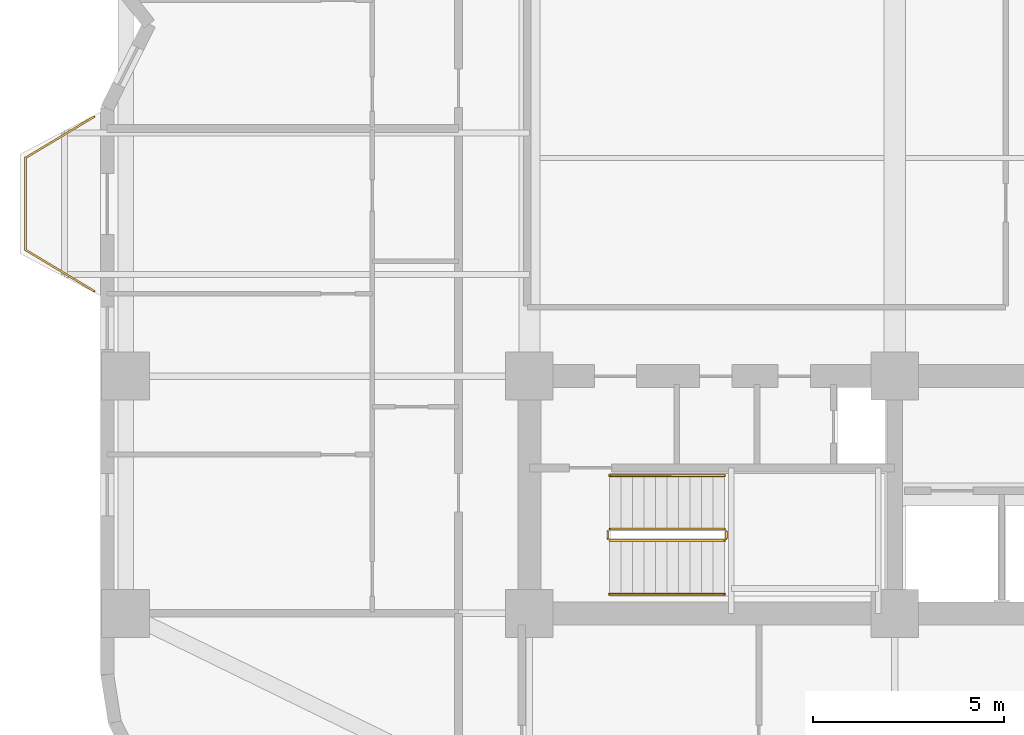
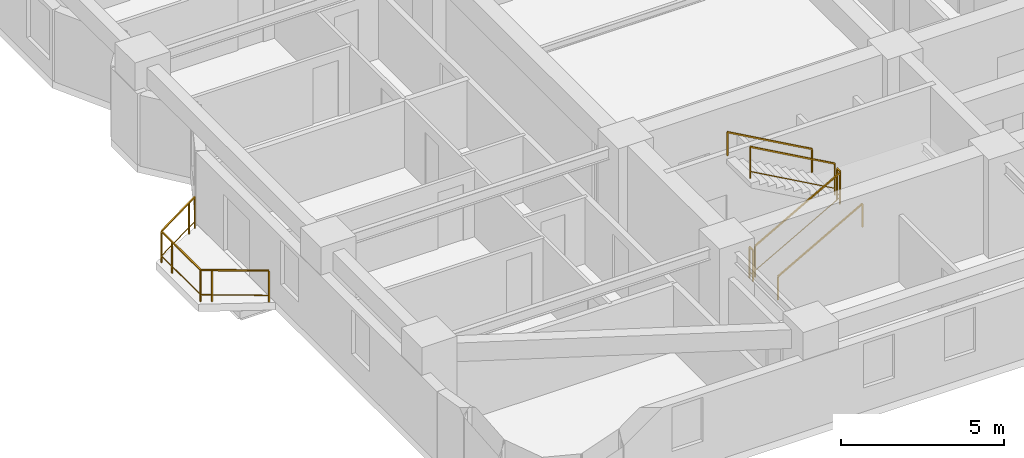
# One storey, part 9 of 10: 7 railings.
"""IFC4 building model written with IfcOpenShell, lengths in metres."""

from ifc_helpers import new_model, si_unit, direction, frame, origin, origin_2d, place, context, subcontext, project, spatial, rectangle, extrude, material, type_object, element, save


model = new_model("IFC4")

# Units and contexts
model_context = context("Model", 3, precision=1e-05, world=origin(), true_north=direction((0.0, 1.0)))
body_context = subcontext(model_context, "Body", "Model", "MODEL_VIEW")
ifc_project = project(units=[si_unit("LENGTHUNIT", "METRE"), si_unit("AREAUNIT", "SQUARE_METRE"), si_unit("VOLUMEUNIT", "CUBIC_METRE"), si_unit("PLANEANGLEUNIT", "RADIAN"), si_unit("MASSUNIT", "GRAM", prefix="KILO")], contexts=[model_context])

# Site, building, storey
site_placement = place(None, origin())
site = spatial("IfcSite", under=ifc_project, at=site_placement, CompositionType="ELEMENT")
building_placement = place(site_placement, origin())
building = spatial("IfcBuilding", under=site, at=building_placement, Name="Svetorya Sky Lyceum", CompositionType="ELEMENT")
storey_placement = place(building_placement, frame((0.0, 0.0, 73.199951171875)))
storey = spatial("IfcBuildingStorey", under=building, at=storey_placement, Name="L18", CompositionType="ELEMENT", Elevation=73.199951171875)

# Railings
ifc_material_1 = material(Name="Laminated safety glass and stainless AISI 316", Category="glass")
railing_type_1 = type_object("IfcRailingType", Name="RL-BAL-1200", PredefinedType="BALUSTRADE", material=ifc_material_1)
railing_1_placement = place(storey_placement, frame((14.22998046875, 19.02001953125, 0.0)))
element("IfcRailing", 1, at=railing_1_placement, inside=storey, type_object=railing_type_1, Name="L18 Balcony Balustrade BAL-W1", PredefinedType="BALUSTRADE", context=body_context, shape_type="SweptSolid", body=[
    extrude(rectangle(XDim=0.048095703125, YDim=0.048095703125, at=origin_2d()), frame((0.0, 0.0, 1.17578125), z_axis=(-0.857482663744, 0.514512858321, 0.0), x_axis=(-0.514512858321, -0.857482663744, 0.0)), (0.0, 0.0, 1.0), 2.09912109375),
    extrude(rectangle(XDim=0.02392578125, YDim=0.02392578125, at=origin_2d()), frame((0.0, 0.0, 0.25), z_axis=(-0.857482663744, 0.514512858321, 0.0), x_axis=(-0.514512858321, -0.857482663744, 0.0)), (0.0, 0.0, 1.0), 2.09912109375),
    extrude(rectangle(XDim=0.048095703125, YDim=0.048095703125, at=origin_2d()), frame((-1.800048828125, 1.080078125, 1.17578125), z_axis=(0.0, 1.0, 0.0), x_axis=(-1.0, 0.0, 0.0)), (0.0, 0.0, 1.0), 2.39990234375),
    extrude(rectangle(XDim=0.02392578125, YDim=0.02392578125, at=origin_2d()), frame((-1.800048828125, 1.080078125, 0.25), z_axis=(0.0, 1.0, 0.0), x_axis=(-1.0, 0.0, 0.0)), (0.0, 0.0, 1.0), 2.39990234375),
    extrude(rectangle(XDim=0.048095703125, YDim=0.048095703125, at=origin_2d()), frame((-1.800048828125, 3.47998046875, 1.17578125), z_axis=(0.857482663744, 0.514512858321, 0.0), x_axis=(-0.514512858321, 0.857482663744, 0.0)), (0.0, 0.0, 1.0), 2.09912109375),
    extrude(rectangle(XDim=0.02392578125, YDim=0.02392578125, at=origin_2d()), frame((-1.800048828125, 3.47998046875, 0.25), z_axis=(0.857482663744, 0.514512858321, 0.0), x_axis=(-0.514512858321, 0.857482663744, 0.0)), (0.0, 0.0, 1.0), 2.09912109375),
    extrude(rectangle(XDim=0.0419921875, YDim=0.0419921875, at=origin_2d()), origin(), (0.0, 0.0, 1.0), 1.15185546875),
    extrude(rectangle(XDim=0.0419921875, YDim=0.0419921875, at=origin_2d()), frame((-1.50048828125, 0.900390625, 0.0)), (0.0, 0.0, 1.0), 1.15185546875),
    extrude(rectangle(XDim=0.0419921875, YDim=0.0419921875, at=origin_2d()), frame((-1.800048828125, 1.080078125, 0.0)), (0.0, 0.0, 1.0), 1.15185546875),
    extrude(rectangle(XDim=0.0419921875, YDim=0.0419921875, at=origin_2d()), frame((-1.800048828125, 2.830078125, 0.0)), (0.0, 0.0, 1.0), 1.15185546875),
    extrude(rectangle(XDim=0.0419921875, YDim=0.0419921875, at=origin_2d()), frame((-1.800048828125, 3.47998046875, 0.0)), (0.0, 0.0, 1.0), 1.15185546875),
    extrude(rectangle(XDim=0.0419921875, YDim=0.0419921875, at=origin_2d()), frame((-0.299560546875, 4.38037109375, 0.0)), (0.0, 0.0, 1.0), 1.15185546875),
    extrude(rectangle(XDim=0.0419921875, YDim=0.0419921875, at=origin_2d()), frame((0.0, 4.56005859375, 0.0)), (0.0, 0.0, 1.0), 1.15185546875),
])
ifc_material_2 = material(Name="Painted galvanized stair well guard")
railing_type_2 = type_object("IfcRailingType", Name="RL-STR-GUARD-1200", PredefinedType="GUARDRAIL", material=ifc_material_2)
railing_2_placement = place(storey_placement, frame((27.699951171875, 12.5, 0.168212890625)))
element("IfcRailing", 2, at=railing_2_placement, inside=storey, type_object=railing_type_2, Name="L18 ST-S stair guard 1", PredefinedType="GUARDRAIL", context=body_context, shape_type="SweptSolid", body=[
    extrude(rectangle(XDim=0.048095703125, YDim=0.048095703125, at=origin_2d()), frame((0.0, 0.0, 1.17578125), z_axis=(0.872272294576, 0.0, 0.489020494575), x_axis=(0.0, 1.0, 0.0)), (0.0, 0.0, 1.0), 3.439208984375),
    extrude(rectangle(XDim=0.02392578125, YDim=0.02392578125, at=origin_2d()), frame((0.0, 0.0, 0.25), z_axis=(0.872272294576, 0.0, 0.489020494575), x_axis=(0.0, 1.0, 0.0)), (0.0, 0.0, 1.0), 3.439208984375),
    extrude(rectangle(XDim=0.0419921875, YDim=0.0419921875, at=origin_2d()), origin(), (0.0, 0.0, 1.0), 1.15185546875),
    extrude(rectangle(XDim=0.0419921875, YDim=0.0419921875, at=origin_2d()), frame((3.0, 0.0, 1.681884765625)), (0.0, 0.0, 1.0), 1.15185546875),
])
railing_3_placement = place(storey_placement, frame((30.75, 12.550048828125, 1.85009765625)))
element("IfcRailing", 3, at=railing_3_placement, inside=storey, type_object=railing_type_2, Name="L18 ST-S stair guard 2", PredefinedType="GUARDRAIL", context=body_context, shape_type="SweptSolid", body=[
    extrude(rectangle(XDim=0.048095703125, YDim=0.048095703125, at=origin_2d()), frame((0.0, 0.0, 1.17578125), z_axis=(0.0, 1.0, 0.0), x_axis=(-1.0, 0.0, 0.0)), (0.0, 0.0, 1.0), 0.199951171875),
    extrude(rectangle(XDim=0.02392578125, YDim=0.02392578125, at=origin_2d()), frame((0.0, 0.0, 0.25), z_axis=(0.0, 1.0, 0.0), x_axis=(-1.0, 0.0, 0.0)), (0.0, 0.0, 1.0), 0.199951171875),
    extrude(rectangle(XDim=0.0419921875, YDim=0.0419921875, at=origin_2d()), origin(), (0.0, 0.0, 1.0), 1.15185546875),
    extrude(rectangle(XDim=0.0419921875, YDim=0.0419921875, at=origin_2d()), frame((0.0, 0.199951171875, 0.0)), (0.0, 0.0, 1.0), 1.15185546875),
])
railing_4_placement = place(storey_placement, frame((30.699951171875, 12.800048828125, 2.018310546875)))
element("IfcRailing", 4, at=railing_4_placement, inside=storey, type_object=railing_type_2, Name="L18 ST-S stair guard 3", PredefinedType="GUARDRAIL", context=body_context, shape_type="SweptSolid", body=[
    extrude(rectangle(XDim=0.048095703125, YDim=0.048095703125, at=origin_2d()), frame((0.0, 0.0, 1.17578125), z_axis=(-0.872302573547, 0.0, 0.488966481656), x_axis=(0.0, -1.0, 0.0)), (0.0, 0.0, 1.0), 3.439208984375),
    extrude(rectangle(XDim=0.02392578125, YDim=0.02392578125, at=origin_2d()), frame((0.0, 0.0, 0.25), z_axis=(-0.872302573547, 0.0, 0.488966481656), x_axis=(0.0, -1.0, 0.0)), (0.0, 0.0, 1.0), 3.439208984375),
    extrude(rectangle(XDim=0.0419921875, YDim=0.0419921875, at=origin_2d()), origin(), (0.0, 0.0, 1.0), 1.15185546875),
    extrude(rectangle(XDim=0.0419921875, YDim=0.0419921875, at=origin_2d()), frame((-3.0, 0.0, 1.681640625)), (0.0, 0.0, 1.0), 1.15185546875),
])
railing_5_placement = place(storey_placement, frame((27.64990234375, 12.550048828125, 0.0)))
element("IfcRailing", 5, at=railing_5_placement, inside=storey, type_object=railing_type_2, Name="L18 ST-S stair guard 4", PredefinedType="GUARDRAIL", context=body_context, shape_type="SweptSolid", body=[
    extrude(rectangle(XDim=0.048095703125, YDim=0.048095703125, at=origin_2d()), frame((0.0, 0.0, 1.17578125), z_axis=(0.0, 1.0, 0.0), x_axis=(-1.0, 0.0, 0.0)), (0.0, 0.0, 1.0), 0.199951171875),
    extrude(rectangle(XDim=0.02392578125, YDim=0.02392578125, at=origin_2d()), frame((0.0, 0.0, 0.25), z_axis=(0.0, 1.0, 0.0), x_axis=(-1.0, 0.0, 0.0)), (0.0, 0.0, 1.0), 0.199951171875),
    extrude(rectangle(XDim=0.0419921875, YDim=0.0419921875, at=origin_2d()), origin(), (0.0, 0.0, 1.0), 1.15185546875),
    extrude(rectangle(XDim=0.0419921875, YDim=0.0419921875, at=origin_2d()), frame((0.0, 0.199951171875, 0.0)), (0.0, 0.0, 1.0), 1.15185546875),
])
ifc_material_3 = material(Name="Brushed stainless AISI 304 stair handrail")
railing_type_3 = type_object("IfcRailingType", Name="RL-STR-HAND-920", PredefinedType="HANDRAIL", material=ifc_material_3)
railing_6_placement = place(storey_placement, frame((27.699951171875, 11.10009765625, 0.168212890625)))
element("IfcRailing", 6, at=railing_6_placement, inside=storey, type_object=railing_type_3, Name="L18 ST-S stair handrail 1", PredefinedType="HANDRAIL", context=body_context, shape_type="SweptSolid", body=[
    extrude(rectangle(XDim=0.048095703125, YDim=0.048095703125, at=origin_2d()), frame((0.0, 0.0, 0.8759765625), z_axis=(0.872272294576, 0.0, 0.489020494575), x_axis=(0.0, 1.0, 0.0)), (0.0, 0.0, 1.0), 3.439208984375),
    extrude(rectangle(XDim=0.0419921875, YDim=0.0419921875, at=origin_2d()), origin(), (0.0, 0.0, 1.0), 0.851806640625),
    extrude(rectangle(XDim=0.0419921875, YDim=0.0419921875, at=origin_2d()), frame((3.0, 0.0, 1.681884765625)), (0.0, 0.0, 1.0), 0.851806640625),
])
railing_7_placement = place(storey_placement, frame((30.699951171875, 14.199951171875, 2.018310546875)))
element("IfcRailing", 7, at=railing_7_placement, inside=storey, type_object=railing_type_3, Name="L18 ST-S stair handrail 2", PredefinedType="HANDRAIL", context=body_context, shape_type="SweptSolid", body=[
    extrude(rectangle(XDim=0.048095703125, YDim=0.048095703125, at=origin_2d()), frame((0.0, 0.0, 0.8759765625), z_axis=(-0.872302573547, 0.0, 0.488966481656), x_axis=(0.0, -1.0, 0.0)), (0.0, 0.0, 1.0), 3.439208984375),
    extrude(rectangle(XDim=0.0419921875, YDim=0.0419921875, at=origin_2d()), origin(), (0.0, 0.0, 1.0), 0.851806640625),
    extrude(rectangle(XDim=0.0419921875, YDim=0.0419921875, at=origin_2d()), frame((-3.0, 0.0, 1.681640625)), (0.0, 0.0, 1.0), 0.851806640625),
])

save(model, "model.ifc")
